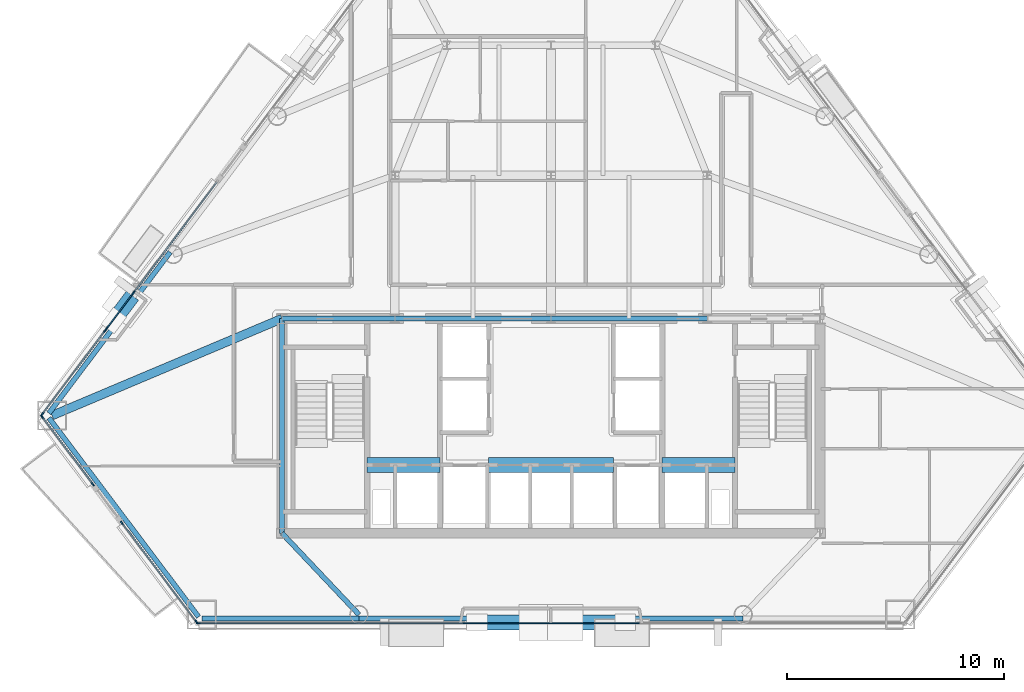
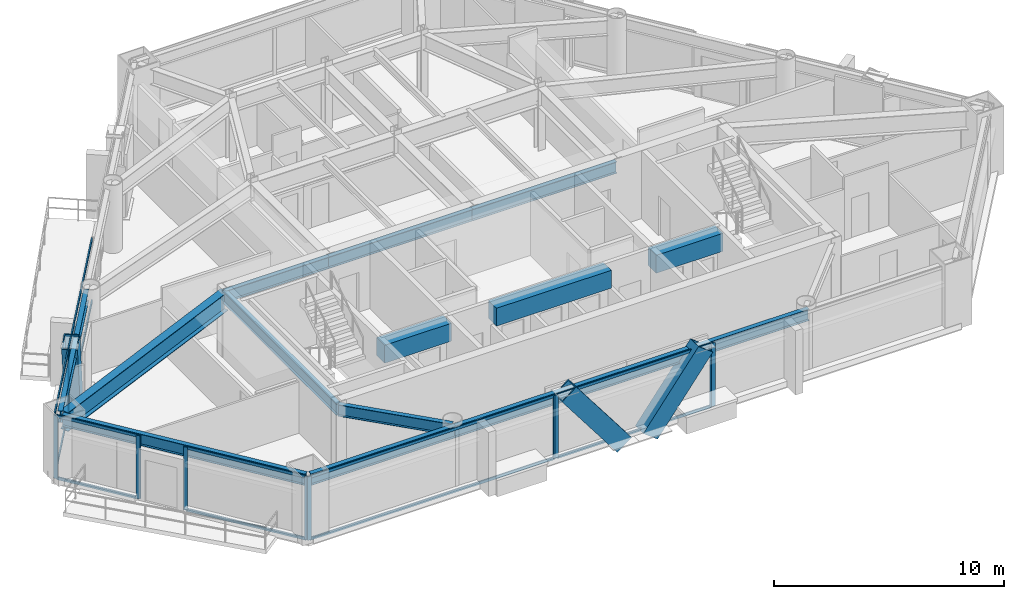
# One storey, part 2 of 10: 31 members, 13 beams, 8 elements without a shape of their own.
"""IFC4 building model written with IfcOpenShell, lengths in metres."""

from ifc_helpers import new_model, si_unit, direction, frame, origin, origin_2d, place, context, subcontext, project, spatial, rectangle, hollow_rectangle, i_section, extrude, material, layer, layer_set, material_profile, profile_set, type_object, element, aggregate, save


model = new_model("IFC4")

# Units and contexts
model_context = context("Model", 3, precision=1e-05, world=origin(), true_north=direction((0.0, 1.0)))
body_context = subcontext(model_context, "Body", "Model", "MODEL_VIEW")
ifc_project = project(units=[si_unit("LENGTHUNIT", "METRE"), si_unit("AREAUNIT", "SQUARE_METRE"), si_unit("VOLUMEUNIT", "CUBIC_METRE"), si_unit("PLANEANGLEUNIT", "RADIAN"), si_unit("MASSUNIT", "GRAM", prefix="KILO")], contexts=[model_context])

# Site, building, storey
site_placement = place(None, origin())
site = spatial("IfcSite", under=ifc_project, at=site_placement, CompositionType="ELEMENT")
building_placement = place(site_placement, origin())
building = spatial("IfcBuilding", under=site, at=building_placement, Name="Talgorran Terracotta Tower", CompositionType="ELEMENT")
storey_placement = place(building_placement, frame((0.0, 0.0, 75.60009765625)))
storey = spatial("IfcBuildingStorey", under=building, at=storey_placement, Name="L19", CompositionType="ELEMENT", Elevation=75.60009765625)

# Beams
ifc_material_1 = material(Name="Steel Grade 350 (350L0)", Category="steel")
ifc_material_profile_1 = material_profile(ifc_material_1, i_section(OverallWidth=0.39990234375, OverallDepth=1.0, WebThickness=0.01611328125, FlangeThickness=0.031005859375, at=origin_2d()), Name="1000WB296")
ifc_profile_set_1 = profile_set([ifc_material_profile_1], Name="Steel Grade 350 (350L0)")
beam_type_1 = type_object("IfcBeamType", Name="BM_1000WB296", PredefinedType="BEAM", material=ifc_profile_set_1)
beam_1_placement = place(storey_placement, frame((-12.39990234375, -4.199951171875, 2.849853515625), z_axis=(-0.921400833848, -0.388613565619, 0.0), x_axis=(0.388613565619, -0.921400833848, 0.0)))
element("IfcBeam", 1, at=beam_1_placement, inside=storey, type_object=beam_type_1, Name="L19 Floor Girder G17", PredefinedType="BEAM", context=body_context, shape_type="SweptSolid", body=[
    extrude(i_section(OverallWidth=0.39990234375, OverallDepth=1.0, WebThickness=0.01611328125, FlangeThickness=0.031005859375, at=origin_2d()), origin(), (0.0, 0.0, 1.0), 11.510009765625),
])
ifc_material_2 = material(Name="Concrete C65/80", Category="concrete")
ifc_material_profile_2 = material_profile(ifc_material_2, rectangle(XDim=0.699951171875, YDim=0.949951171875, at=origin_2d()), Name="RCCB700X950")
ifc_profile_set_2 = profile_set([ifc_material_profile_2], Name="Concrete C65/80")
beam_type_2 = type_object("IfcBeamType", Name="BM_CB_700X950", PredefinedType="LINTEL", material=ifc_profile_set_2)
beam_2_placement = place(storey_placement, frame((-8.47998046875, -10.949951171875, 2.875), z_axis=(1.0, 0.0, 0.0), x_axis=(0.0, 1.0, 0.0)))
element("IfcBeam", 2, at=beam_2_placement, inside=storey, type_object=beam_type_2, Name="L19 Core Shear-Wall Coupling Beam CB1", PredefinedType="LINTEL", context=body_context, shape_type="SweptSolid", body=[
    extrude(rectangle(XDim=0.699951171875, YDim=0.949951171875, at=origin_2d()), origin(), (0.0, 0.0, 1.0), 3.35986328125),
])
beam_3_placement = place(storey_placement, frame((-2.8798828125, -10.949951171875, 2.875), z_axis=(1.0, 0.0, 0.0), x_axis=(0.0, 1.0, 0.0)))
element("IfcBeam", 3, at=beam_3_placement, inside=storey, type_object=beam_type_2, Name="L19 Core Shear-Wall Coupling Beam CB2", PredefinedType="LINTEL", context=body_context, shape_type="SweptSolid", body=[
    extrude(rectangle(XDim=0.699951171875, YDim=0.949951171875, at=origin_2d()), origin(), (0.0, 0.0, 1.0), 5.759765625),
])
beam_4_placement = place(storey_placement, frame((5.1201171875, -10.949951171875, 2.875), z_axis=(1.0, 0.0, 0.0), x_axis=(0.0, 1.0, 0.0)))
element("IfcBeam", 4, at=beam_4_placement, inside=storey, type_object=beam_type_2, Name="L19 Core Shear-Wall Coupling Beam CB3", PredefinedType="LINTEL", context=body_context, shape_type="SweptSolid", body=[
    extrude(rectangle(XDim=0.699951171875, YDim=0.949951171875, at=origin_2d()), origin(), (0.0, 0.0, 1.0), 3.35986328125),
])
ifc_material_3 = material(Name="Steel S355 (300PLUS)", Category="steel")
ifc_material_profile_3 = material_profile(ifc_material_3, i_section(OverallWidth=0.22900390625, OverallDepth=0.611572265625, WebThickness=0.011962890625, FlangeThickness=0.01953125, at=origin_2d()), Name="610UB125")
ifc_profile_set_3 = profile_set([ifc_material_profile_3], Name="Steel S355 (300PLUS)")
beam_type_3 = type_object("IfcBeamType", Name="BM_SP_610UB125", PredefinedType="SPANDREL", material=ifc_profile_set_3)
beam_5_placement = place(storey_placement, frame((-23.14892578125, -8.781005859375, 3.044189453125), z_axis=(0.601237780209, -0.799070166913, 0.0), x_axis=(0.799070166913, 0.601237780209, 0.0)))
element("IfcBeam", 5, at=beam_5_placement, inside=storey, type_object=beam_type_3, Name="L19 Perimeter Spandrel Beam MC1-MC2", PredefinedType="SPANDREL", context=body_context, shape_type="SweptSolid", body=[
    extrude(i_section(OverallWidth=0.22900390625, OverallDepth=0.611572265625, WebThickness=0.011962890625, FlangeThickness=0.01953125, at=origin_2d()), origin(), (0.0, 0.0, 1.0), 11.480712890625),
])
beam_6_placement = place(storey_placement, frame((-16.1025390625, -18.026611328125, 3.044189453125), z_axis=(1.0, 0.0, 0.0), x_axis=(0.0, 1.0, 0.0)))
element("IfcBeam", 6, at=beam_6_placement, inside=storey, type_object=beam_type_3, Name="L19 Perimeter Spandrel Beam MC2-FC1", PredefinedType="SPANDREL", context=body_context, shape_type="SweptSolid", body=[
    extrude(i_section(OverallWidth=0.22900390625, OverallDepth=0.611572265625, WebThickness=0.011962890625, FlangeThickness=0.01953125, at=origin_2d()), origin(), (0.0, 0.0, 1.0), 7.24609375),
])
beam_7_placement = place(storey_placement, frame((-8.8564453125, -18.026611328125, 3.044189453125), z_axis=(1.0, 0.0, 0.0), x_axis=(0.0, 1.0, 0.0)))
element("IfcBeam", 7, at=beam_7_placement, inside=storey, type_object=beam_type_3, Name="L19 Perimeter Spandrel Beam FC1-FC2", PredefinedType="SPANDREL", context=body_context, shape_type="SweptSolid", body=[
    extrude(i_section(OverallWidth=0.22900390625, OverallDepth=0.611572265625, WebThickness=0.011962890625, FlangeThickness=0.01953125, at=origin_2d()), origin(), (0.0, 0.0, 1.0), 17.712890625),
])
beam_8_placement = place(storey_placement, frame((-17.559326171875, -1.135498046875, 3.044189453125), z_axis=(-0.601217758064, -0.799085231617, 0.0), x_axis=(0.799085231617, -0.601217758064, 0.0)))
element("IfcBeam", 8, at=beam_8_placement, inside=storey, type_object=beam_type_3, Name="L19 Perimeter Spandrel Beam FC6-MC1", PredefinedType="SPANDREL", context=body_context, shape_type="SweptSolid", body=[
    extrude(i_section(OverallWidth=0.22900390625, OverallDepth=0.611572265625, WebThickness=0.011962890625, FlangeThickness=0.01953125, at=origin_2d()), origin(), (0.0, 0.0, 1.0), 9.297119140625),
])
beam_9_placement = place(storey_placement, frame((-8.8564453125, -17.8466796875, 3.044189453125), z_axis=(-0.687137724954, 0.726527182523, 0.0), x_axis=(-0.726527182523, -0.687137724954, 0.0)))
element("IfcBeam", 9, at=beam_9_placement, inside=storey, type_object=beam_type_3, Name="L19 South-West Core Tie Beam", PredefinedType="SPANDREL", context=body_context, shape_type="SweptSolid", body=[
    extrude(i_section(OverallWidth=0.22900390625, OverallDepth=0.611572265625, WebThickness=0.011962890625, FlangeThickness=0.01953125, at=origin_2d()), origin(), (0.0, 0.0, 1.0), 5.15673828125),
])
beam_10_placement = place(storey_placement, frame((-12.39990234375, -14.10009765625, 3.044189453125), z_axis=(0.0, 1.0, 0.0), x_axis=(-1.0, 0.0, 0.0)))
element("IfcBeam", 10, at=beam_10_placement, inside=storey, type_object=beam_type_3, Name="L19 Core Frame Beam CFW", PredefinedType="SPANDREL", context=body_context, shape_type="SweptSolid", body=[
    extrude(i_section(OverallWidth=0.22900390625, OverallDepth=0.611572265625, WebThickness=0.011962890625, FlangeThickness=0.01953125, at=origin_2d()), origin(), (0.0, 0.0, 1.0), 9.900146484375),
])
beam_11_placement = place(storey_placement, frame((-12.39990234375, -4.199951171875, 3.044189453125), z_axis=(1.0, 0.0, 0.0), x_axis=(0.0, 1.0, 0.0)))
element("IfcBeam", 11, at=beam_11_placement, inside=storey, type_object=beam_type_3, Name="L19 Core Frame Beam CFN1", PredefinedType="SPANDREL", context=body_context, shape_type="SweptSolid", body=[
    extrude(i_section(OverallWidth=0.22900390625, OverallDepth=0.611572265625, WebThickness=0.011962890625, FlangeThickness=0.01953125, at=origin_2d()), origin(), (0.0, 0.0, 1.0), 5.199951171875),
])
for number, where, z_axis, x_axis, name in (
    (12, (-7.199951171875, -4.199951171875, 3.044189453125), (1.0, 0.0, 0.0), (0.0, 1.0, 0.0), "L19 Core Frame Beam CFN2"),
    (13, (0.0, -4.199951171875, 3.044189453125), (1.0, 0.0, 0.0), (0.0, 1.0, 0.0), "L19 Core Frame Beam CFN3"),
):
    element("IfcBeam", number, at=place(storey_placement, frame(where, z_axis=z_axis, x_axis=x_axis)), inside=storey, type_object=beam_type_3, Name=name, PredefinedType="SPANDREL", context=body_context, shape_type="SweptSolid", body=[
        extrude(i_section(OverallWidth=0.22900390625, OverallDepth=0.611572265625, WebThickness=0.011962890625, FlangeThickness=0.01953125, at=origin_2d()), origin(), (0.0, 0.0, 1.0), 7.199951171875),
    ])

# Members
ifc_material_profile_4 = material_profile(ifc_material_1, hollow_rectangle(XDim=0.699951171875, YDim=0.89990234375, WallThickness=0.050048828125, at=origin_2d()), Name="WBOX900X700X50")
ifc_profile_set_4 = profile_set([ifc_material_profile_4], Name="Steel Grade 350 (350L0)")
member_type_1 = type_object("IfcMemberType", Name="MB_MEGA_900", PredefinedType="BRACE", material=ifc_profile_set_4)
for number, where, z_axis, x_axis, name in (
    (14, (-0.6513671875, -18.206787109375, -0.27001953125), (-0.604751848903, 0.0, 0.796413963494), (0.0, -1.0, 0.0), "L19 Exterior Face Mega-Brace MB-1 (SWF)"),
    (15, (0.6513671875, -18.206787109375, -0.27001953125), (0.604751848903, 0.0, 0.796413963494), (0.0, 1.0, 0.0), "L19 Exterior Face Mega-Brace MB-1 (SEF)"),
):
    element("IfcMember", number, at=place(storey_placement, frame(where, z_axis=z_axis, x_axis=x_axis)), inside=storey, type_object=member_type_1, Name=name, PredefinedType="BRACE", context=body_context, shape_type="SweptSolid", body=[
        extrude(hollow_rectangle(XDim=0.699951171875, YDim=0.89990234375, WallThickness=0.050048828125, at=origin_2d()), origin(), (0.0, 0.0, 1.0), 4.576904296875),
    ])
member_1_placement = place(storey_placement, frame((-19.557861328125, -3.4921875, -0.27001953125), z_axis=(-0.15896705437, -0.211353190532, 0.964395823548), x_axis=(0.799178579283, -0.601093668587, 0.0)))
element("IfcMember", 16, at=member_1_placement, inside=storey, type_object=member_type_1, Name="L19 Exterior Face Mega-Brace MB-1 (NWL)", PredefinedType="BRACE", context=body_context, shape_type="SweptSolid", body=[
    extrude(hollow_rectangle(XDim=0.699951171875, YDim=0.89990234375, WallThickness=0.050048828125, at=origin_2d()), origin(), (0.0, 0.0, 1.0), 3.779541015625),
])

# Curtain wall, members
ifc_material_4 = material(Name="Unitised Low-E Double Glazing", Category="glass")
ifc_layer = layer(ifc_material_4, 0.199951171875, Name="CW_SYS2_RES_LOW")
ifc_layer_set = layer_set([ifc_layer], Name="Unitised Low-E Double Glazing")
curtain_wall_type = type_object("IfcCurtainWallType", Name="CW_SYS2_RES_LOW", PredefinedType="NOTDEFINED", material=ifc_layer_set)
curtain_wall_1_placement = place(storey_placement, origin())
curtain_wall_1 = element("IfcCurtainWall", 17, at=curtain_wall_1_placement, inside=storey, type_object=curtain_wall_type, Name="CW-L19-F10", PredefinedType="NOTDEFINED")
ifc_material_5 = material(Name="Architectural Aluminium 6063-T6", Category="aluminium")
ifc_material_profile_5 = material_profile(ifc_material_5, rectangle(XDim=0.06494140625, YDim=0.18505859375, at=origin_2d()), Name="CWM65X185")
ifc_profile_set_5 = profile_set([ifc_material_profile_5], Name="Architectural Aluminium 6063-T6")
member_type_2 = type_object("IfcMemberType", Name="MUL_65X185", PredefinedType="MULLION", material=ifc_profile_set_5)
member_2_placement = place(storey_placement, frame((-23.462158203125, -8.730712890625, 0.0), z_axis=(0.0, 0.0, 1.0), x_axis=(0.799056122411, 0.601256445485, 0.0)))
member_2 = element("IfcMember", 18, at=member_2_placement, type_object=member_type_2, Name="CW-L19-10 mullion 1", PredefinedType="MULLION", context=body_context, shape_type="SweptSolid", body=[
    extrude(rectangle(XDim=0.06494140625, YDim=0.18505859375, at=origin_2d()), origin(), (0.0, 0.0, 1.0), 3.349853515625),
])
member_3_placement = place(storey_placement, frame((-21.12158203125, -11.841552734375, 0.0), z_axis=(0.0, 0.0, 1.0), x_axis=(0.799056122411, 0.601256445485, 0.0)))
member_3 = element("IfcMember", 19, at=member_3_placement, type_object=member_type_2, Name="CW-L19-10 mullion 2", PredefinedType="MULLION", context=body_context, shape_type="SweptSolid", body=[
    extrude(rectangle(XDim=0.06494140625, YDim=0.18505859375, at=origin_2d()), origin(), (0.0, 0.0, 1.0), 3.349853515625),
])

curtain_wall_2_placement = place(storey_placement, origin())
curtain_wall_2 = element("IfcCurtainWall", 20, at=curtain_wall_2_placement, inside=storey, type_object=curtain_wall_type, Name="CW-L19-F11", PredefinedType="NOTDEFINED")
member_4_placement = place(storey_placement, frame((-19.78369140625, -13.619384765625, 0.0), z_axis=(0.0, 0.0, 1.0), x_axis=(0.799061147715, 0.601249766913, 0.0)))
member_4 = element("IfcMember", 21, at=member_4_placement, type_object=member_type_2, Name="CW-L19-11 mullion 1", PredefinedType="MULLION", context=body_context, shape_type="SweptSolid", body=[
    extrude(rectangle(XDim=0.06494140625, YDim=0.18505859375, at=origin_2d()), origin(), (0.0, 0.0, 1.0), 3.349853515625),
])
member_5_placement = place(storey_placement, frame((-16.345703125, -18.188720703125, 0.0), z_axis=(0.0, 0.0, 1.0), x_axis=(0.799061147715, 0.601249766913, 0.0)))
member_5 = element("IfcMember", 22, at=member_5_placement, type_object=member_type_2, Name="CW-L19-11 mullion 2", PredefinedType="MULLION", context=body_context, shape_type="SweptSolid", body=[
    extrude(rectangle(XDim=0.06494140625, YDim=0.18505859375, at=origin_2d()), origin(), (0.0, 0.0, 1.0), 3.349853515625),
])

curtain_wall_3_placement = place(storey_placement, origin())
curtain_wall_3 = element("IfcCurtainWall", 23, at=curtain_wall_3_placement, inside=storey, type_object=curtain_wall_type, Name="CW-L19-F1", PredefinedType="NOTDEFINED")
member_6_placement = place(storey_placement, frame((-16.26953125, -18.24658203125, 0.0), z_axis=(0.0, 0.0, 1.0), x_axis=(0.0, 1.0, 0.0)))
member_6 = element("IfcMember", 24, at=member_6_placement, type_object=member_type_2, Name="CW-L19-1 mullion 1", PredefinedType="MULLION", context=body_context, shape_type="SweptSolid", body=[
    extrude(rectangle(XDim=0.06494140625, YDim=0.18505859375, at=origin_2d()), origin(), (0.0, 0.0, 1.0), 3.349853515625),
])
member_7_placement = place(storey_placement, frame((-3.965087890625, -18.24658203125, 0.0), z_axis=(0.0, 0.0, 1.0), x_axis=(0.0, 1.0, 0.0)))
member_7 = element("IfcMember", 25, at=member_7_placement, type_object=member_type_2, Name="CW-L19-1 mullion 2", PredefinedType="MULLION", context=body_context, shape_type="SweptSolid", body=[
    extrude(rectangle(XDim=0.06494140625, YDim=0.18505859375, at=origin_2d()), origin(), (0.0, 0.0, 1.0), 3.349853515625),
])

curtain_wall_4_placement = place(storey_placement, origin())
curtain_wall_4 = element("IfcCurtainWall", 26, at=curtain_wall_4_placement, inside=storey, type_object=curtain_wall_type, Name="CW-L19-F1B", PredefinedType="NOTDEFINED")
member_8_placement = place(storey_placement, frame((-3.89013671875, -18.24658203125, 0.0), z_axis=(0.0, 0.0, 1.0), x_axis=(0.0, 1.0, 0.0)))
member_8 = element("IfcMember", 27, at=member_8_placement, type_object=member_type_2, Name="CW-L19-1B mullion 1", PredefinedType="MULLION", context=body_context, shape_type="SweptSolid", body=[
    extrude(rectangle(XDim=0.06494140625, YDim=0.18505859375, at=origin_2d()), origin(), (0.0, 0.0, 1.0), 3.349853515625),
])
member_9_placement = place(storey_placement, frame((3.89013671875, -18.24658203125, 0.0), z_axis=(0.0, 0.0, 1.0), x_axis=(0.0, 1.0, 0.0)))
member_9 = element("IfcMember", 28, at=member_9_placement, type_object=member_type_2, Name="CW-L19-1B mullion 2", PredefinedType="MULLION", context=body_context, shape_type="SweptSolid", body=[
    extrude(rectangle(XDim=0.06494140625, YDim=0.18505859375, at=origin_2d()), origin(), (0.0, 0.0, 1.0), 3.349853515625),
])

# Curtain wall, member
curtain_wall_5_placement = place(storey_placement, origin())
curtain_wall_5 = element("IfcCurtainWall", 29, at=curtain_wall_5_placement, inside=storey, type_object=curtain_wall_type, Name="CW-L19-F1C", PredefinedType="NOTDEFINED")
member_10_placement = place(storey_placement, frame((3.965087890625, -18.24658203125, 0.0), z_axis=(0.0, 0.0, 1.0), x_axis=(0.0, 1.0, 0.0)))
member_10 = element("IfcMember", 30, at=member_10_placement, type_object=member_type_2, Name="CW-L19-1C mullion 1", PredefinedType="MULLION", context=body_context, shape_type="SweptSolid", body=[
    extrude(rectangle(XDim=0.06494140625, YDim=0.18505859375, at=origin_2d()), origin(), (0.0, 0.0, 1.0), 3.349853515625),
])
aggregate(curtain_wall_5, [member_10])

curtain_wall_6_placement = place(storey_placement, origin())
curtain_wall_6 = element("IfcCurtainWall", 31, at=curtain_wall_6_placement, inside=storey, type_object=curtain_wall_type, Name="CW-L19-F61", PredefinedType="NOTDEFINED")
member_11_placement = place(storey_placement, frame((-19.240966796875, -3.004638671875, 0.0), z_axis=(0.0, 0.0, 1.0), x_axis=(0.79906548166, -0.601244007055, 0.0)))
member_11 = element("IfcMember", 32, at=member_11_placement, type_object=member_type_2, Name="CW-L19-61 mullion 2", PredefinedType="MULLION", context=body_context, shape_type="SweptSolid", body=[
    extrude(rectangle(XDim=0.06494140625, YDim=0.18505859375, at=origin_2d()), origin(), (0.0, 0.0, 1.0), 3.349853515625),
])

# Curtain wall, members
curtain_wall_7_placement = place(storey_placement, origin())
curtain_wall_7 = element("IfcCurtainWall", 33, at=curtain_wall_7_placement, inside=storey, type_object=curtain_wall_type, Name="CW-L19-F61B", PredefinedType="NOTDEFINED")
member_12_placement = place(storey_placement, frame((-19.2861328125, -3.064453125, 0.0), z_axis=(0.0, 0.0, 1.0), x_axis=(0.799063344784, -0.601246846997, 0.0)))
member_12 = element("IfcMember", 34, at=member_12_placement, type_object=member_type_2, Name="CW-L19-61B mullion 1", PredefinedType="MULLION", context=body_context, shape_type="SweptSolid", body=[
    extrude(rectangle(XDim=0.06494140625, YDim=0.18505859375, at=origin_2d()), origin(), (0.0, 0.0, 1.0), 3.349853515625),
])
member_13_placement = place(storey_placement, frame((-20.519287109375, -4.70361328125, 0.0), z_axis=(0.0, 0.0, 1.0), x_axis=(0.799063344784, -0.601246846997, 0.0)))
member_13 = element("IfcMember", 35, at=member_13_placement, type_object=member_type_2, Name="CW-L19-61B mullion 2", PredefinedType="MULLION", context=body_context, shape_type="SweptSolid", body=[
    extrude(rectangle(XDim=0.06494140625, YDim=0.18505859375, at=origin_2d()), origin(), (0.0, 0.0, 1.0), 3.349853515625),
])

curtain_wall_8_placement = place(storey_placement, origin())
curtain_wall_8 = element("IfcCurtainWall", 36, at=curtain_wall_8_placement, inside=storey, type_object=curtain_wall_type, Name="CW-L19-F61C", PredefinedType="NOTDEFINED")
member_14_placement = place(storey_placement, frame((-20.564453125, -4.763427734375, 0.0), z_axis=(0.0, 0.0, 1.0), x_axis=(0.799072906041, -0.601234139776, 0.0)))
member_14 = element("IfcMember", 37, at=member_14_placement, type_object=member_type_2, Name="CW-L19-61C mullion 1", PredefinedType="MULLION", context=body_context, shape_type="SweptSolid", body=[
    extrude(rectangle(XDim=0.06494140625, YDim=0.18505859375, at=origin_2d()), origin(), (0.0, 0.0, 1.0), 3.349853515625),
])
member_15_placement = place(storey_placement, frame((-23.462158203125, -8.61474609375, 0.0), z_axis=(0.0, 0.0, 1.0), x_axis=(0.799072906041, -0.601234139776, 0.0)))
member_15 = element("IfcMember", 38, at=member_15_placement, type_object=member_type_2, Name="CW-L19-61C mullion 2", PredefinedType="MULLION", context=body_context, shape_type="SweptSolid", body=[
    extrude(rectangle(XDim=0.06494140625, YDim=0.18505859375, at=origin_2d()), origin(), (0.0, 0.0, 1.0), 3.349853515625),
])

# Member
ifc_material_profile_6 = material_profile(ifc_material_5, rectangle(XDim=0.06494140625, YDim=0.14990234375, at=origin_2d()), Name="CWT65X150")
ifc_profile_set_6 = profile_set([ifc_material_profile_6], Name="Architectural Aluminium 6063-T6")
member_type_3 = type_object("IfcMemberType", Name="TRN_65X150", PredefinedType="USERDEFINED", material=ifc_profile_set_6)
member_16_placement = place(storey_placement, frame((-23.442626953125, -8.7568359375, 0.032470703125), z_axis=(0.601234025006, -0.799072992395, 0.0), x_axis=(0.799072992395, 0.601234025006, 0.0)))
member_16 = element("IfcMember", 39, at=member_16_placement, type_object=member_type_3, Name="CW-L19-10 transom 1.1", ObjectType="TRANSOM", PredefinedType="USERDEFINED", context=body_context, shape_type="SweptSolid", body=[
    extrude(rectangle(XDim=0.06494140625, YDim=0.14990234375, at=origin_2d()), origin(), (0.0, 0.0, 1.0), 3.827880859375),
])

member_17_placement = place(storey_placement, frame((-23.442626953125, -8.7568359375, 3.3173828125), z_axis=(0.601234025006, -0.799072992395, 0.0), x_axis=(0.799072992395, 0.601234025006, 0.0)))
member_17 = element("IfcMember", 40, at=member_17_placement, type_object=member_type_3, Name="CW-L19-10 transom 1.2", ObjectType="TRANSOM", PredefinedType="USERDEFINED", context=body_context, shape_type="SweptSolid", body=[
    extrude(rectangle(XDim=0.06494140625, YDim=0.14990234375, at=origin_2d()), origin(), (0.0, 0.0, 1.0), 3.827880859375),
])

aggregate(curtain_wall_1, [member_2, member_3, member_16, member_17])

member_18_placement = place(storey_placement, frame((-19.76416015625, -13.6455078125, 0.032470703125), z_axis=(0.601236131264, -0.799071407612, 0.0), x_axis=(0.799071407612, 0.601236131264, 0.0)))
member_18 = element("IfcMember", 41, at=member_18_placement, type_object=member_type_3, Name="CW-L19-11 transom 1.1", ObjectType="TRANSOM", PredefinedType="USERDEFINED", context=body_context, shape_type="SweptSolid", body=[
    extrude(rectangle(XDim=0.06494140625, YDim=0.14990234375, at=origin_2d()), origin(), (0.0, 0.0, 1.0), 5.6533203125),
])

member_19_placement = place(storey_placement, frame((-19.76416015625, -13.6455078125, 3.3173828125), z_axis=(0.601236131264, -0.799071407612, 0.0), x_axis=(0.799071407612, 0.601236131264, 0.0)))
member_19 = element("IfcMember", 42, at=member_19_placement, type_object=member_type_3, Name="CW-L19-11 transom 1.2", ObjectType="TRANSOM", PredefinedType="USERDEFINED", context=body_context, shape_type="SweptSolid", body=[
    extrude(rectangle(XDim=0.06494140625, YDim=0.14990234375, at=origin_2d()), origin(), (0.0, 0.0, 1.0), 5.6533203125),
])

aggregate(curtain_wall_2, [member_4, member_5, member_18, member_19])

member_20_placement = place(storey_placement, frame((-16.237060546875, -18.24658203125, 0.032470703125), z_axis=(1.0, 0.0, 0.0), x_axis=(0.0, 1.0, 0.0)))
member_20 = element("IfcMember", 43, at=member_20_placement, type_object=member_type_3, Name="CW-L19-1 transom 1.1", ObjectType="TRANSOM", PredefinedType="USERDEFINED", context=body_context, shape_type="SweptSolid", body=[
    extrude(rectangle(XDim=0.06494140625, YDim=0.14990234375, at=origin_2d()), origin(), (0.0, 0.0, 1.0), 12.2392578125),
])

member_21_placement = place(storey_placement, frame((-16.237060546875, -18.24658203125, 3.3173828125), z_axis=(1.0, 0.0, 0.0), x_axis=(0.0, 1.0, 0.0)))
member_21 = element("IfcMember", 44, at=member_21_placement, type_object=member_type_3, Name="CW-L19-1 transom 1.2", ObjectType="TRANSOM", PredefinedType="USERDEFINED", context=body_context, shape_type="SweptSolid", body=[
    extrude(rectangle(XDim=0.06494140625, YDim=0.14990234375, at=origin_2d()), origin(), (0.0, 0.0, 1.0), 12.2392578125),
])

aggregate(curtain_wall_3, [member_6, member_7, member_20, member_21])

member_22_placement = place(storey_placement, frame((-3.857666015625, -18.24658203125, 0.032470703125), z_axis=(1.0, 0.0, 0.0), x_axis=(0.0, 1.0, 0.0)))
member_22 = element("IfcMember", 45, at=member_22_placement, type_object=member_type_3, Name="CW-L19-1B transom 1.1", ObjectType="TRANSOM", PredefinedType="USERDEFINED", context=body_context, shape_type="SweptSolid", body=[
    extrude(rectangle(XDim=0.06494140625, YDim=0.14990234375, at=origin_2d()), origin(), (0.0, 0.0, 1.0), 7.71533203125),
])

member_23_placement = place(storey_placement, frame((-3.857666015625, -18.24658203125, 3.3173828125), z_axis=(1.0, 0.0, 0.0), x_axis=(0.0, 1.0, 0.0)))
member_23 = element("IfcMember", 46, at=member_23_placement, type_object=member_type_3, Name="CW-L19-1B transom 1.2", ObjectType="TRANSOM", PredefinedType="USERDEFINED", context=body_context, shape_type="SweptSolid", body=[
    extrude(rectangle(XDim=0.06494140625, YDim=0.14990234375, at=origin_2d()), origin(), (0.0, 0.0, 1.0), 7.71533203125),
])

aggregate(curtain_wall_4, [member_8, member_9, member_22, member_23])

member_24_placement = place(storey_placement, frame((-15.419921875, 2.073486328125, 0.032470703125), z_axis=(-0.601247250877, -0.799063040887, 0.0), x_axis=(0.799063040887, -0.601247250877, 0.0)))
member_24 = element("IfcMember", 47, at=member_24_placement, type_object=member_type_3, Name="CW-L19-61 transom 1.1", ObjectType="TRANSOM", PredefinedType="USERDEFINED", context=body_context, shape_type="SweptSolid", body=[
    extrude(rectangle(XDim=0.06494140625, YDim=0.14990234375, at=origin_2d()), origin(), (0.0, 0.0, 1.0), 6.32275390625),
])

member_25_placement = place(storey_placement, frame((-15.419921875, 2.073486328125, 3.3173828125), z_axis=(-0.601247250877, -0.799063040887, 0.0), x_axis=(0.799063040887, -0.601247250877, 0.0)))
member_25 = element("IfcMember", 48, at=member_25_placement, type_object=member_type_3, Name="CW-L19-61 transom 1.2", ObjectType="TRANSOM", PredefinedType="USERDEFINED", context=body_context, shape_type="SweptSolid", body=[
    extrude(rectangle(XDim=0.06494140625, YDim=0.14990234375, at=origin_2d()), origin(), (0.0, 0.0, 1.0), 6.32275390625),
])

aggregate(curtain_wall_6, [member_11, member_24, member_25])

member_26_placement = place(storey_placement, frame((-19.3056640625, -3.090576171875, 0.032470703125), z_axis=(-0.601258075996, -0.799054895517, 0.0), x_axis=(0.799054895517, -0.601258075996, 0.0)))
member_26 = element("IfcMember", 49, at=member_26_placement, type_object=member_type_3, Name="CW-L19-61B transom 1.1", ObjectType="TRANSOM", PredefinedType="USERDEFINED", context=body_context, shape_type="SweptSolid", body=[
    extrude(rectangle(XDim=0.06494140625, YDim=0.14990234375, at=origin_2d()), origin(), (0.0, 0.0, 1.0), 1.986083984375),
])

member_27_placement = place(storey_placement, frame((-19.3056640625, -3.090576171875, 3.3173828125), z_axis=(-0.601258075996, -0.799054895517, 0.0), x_axis=(0.799054895517, -0.601258075996, 0.0)))
member_27 = element("IfcMember", 50, at=member_27_placement, type_object=member_type_3, Name="CW-L19-61B transom 1.2", ObjectType="TRANSOM", PredefinedType="USERDEFINED", context=body_context, shape_type="SweptSolid", body=[
    extrude(rectangle(XDim=0.06494140625, YDim=0.14990234375, at=origin_2d()), origin(), (0.0, 0.0, 1.0), 1.986083984375),
])

aggregate(curtain_wall_7, [member_12, member_13, member_26, member_27])

member_28_placement = place(storey_placement, frame((-20.583984375, -4.78955078125, 0.032470703125), z_axis=(-0.601231635821, -0.799074790046, 0.0), x_axis=(0.799074790046, -0.601231635821, 0.0)))
member_28 = element("IfcMember", 51, at=member_28_placement, type_object=member_type_3, Name="CW-L19-61C transom 1.1", ObjectType="TRANSOM", PredefinedType="USERDEFINED", context=body_context, shape_type="SweptSolid", body=[
    extrude(rectangle(XDim=0.06494140625, YDim=0.14990234375, at=origin_2d()), origin(), (0.0, 0.0, 1.0), 4.754638671875),
])

member_29_placement = place(storey_placement, frame((-20.583984375, -4.78955078125, 3.3173828125), z_axis=(-0.601231635821, -0.799074790046, 0.0), x_axis=(0.799074790046, -0.601231635821, 0.0)))
member_29 = element("IfcMember", 52, at=member_29_placement, type_object=member_type_3, Name="CW-L19-61C transom 1.2", ObjectType="TRANSOM", PredefinedType="USERDEFINED", context=body_context, shape_type="SweptSolid", body=[
    extrude(rectangle(XDim=0.06494140625, YDim=0.14990234375, at=origin_2d()), origin(), (0.0, 0.0, 1.0), 4.754638671875),
])

aggregate(curtain_wall_8, [member_14, member_15, member_28, member_29])

save(model, "model.ifc")
